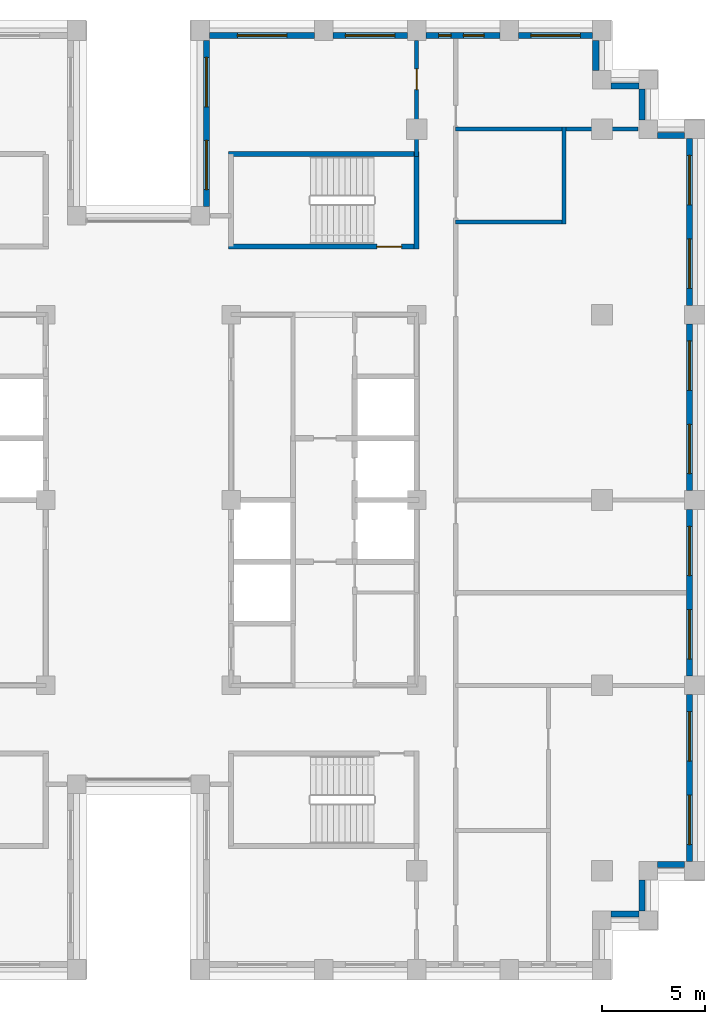
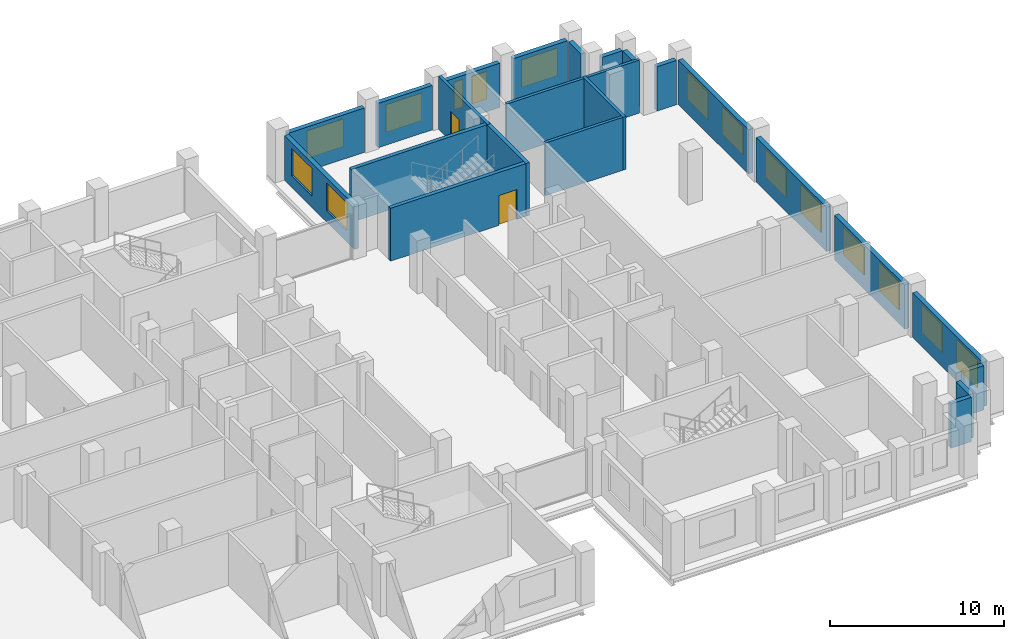
# One storey, part 11 of 15: 23 walls, 15 windows, 2 doors, 17 openings.
"""IFC4 building model written with IfcOpenShell, lengths in metres."""

from ifc_helpers import new_model, si_unit, direction, frame, frame_2d, origin, place, context, subcontext, project, spatial, rectangle, extrude, material, layer, layer_set, type_object, element, fill, save


model = new_model("IFC4")

# Units and contexts
model_context = context("Model", 3, precision=1e-05, world=origin(), true_north=direction((0.0, 1.0)))
body_context = subcontext(model_context, "Body", "Model", "MODEL_VIEW")
ifc_project = project(units=[si_unit("LENGTHUNIT", "METRE"), si_unit("AREAUNIT", "SQUARE_METRE"), si_unit("VOLUMEUNIT", "CUBIC_METRE"), si_unit("PLANEANGLEUNIT", "RADIAN"), si_unit("MASSUNIT", "GRAM", prefix="KILO")], contexts=[model_context])

# Site, building, storey
site_placement = place(None, origin())
site = spatial("IfcSite", under=ifc_project, at=site_placement, CompositionType="ELEMENT")
building_placement = place(site_placement, origin())
building = spatial("IfcBuilding", under=site, at=building_placement, Name="Corbelhall Arena Tower", CompositionType="ELEMENT")
storey_placement = place(building_placement, frame((0.0, 0.0, 208.0)))
storey = spatial("IfcBuildingStorey", under=building, at=storey_placement, Name="L43", CompositionType="ELEMENT", Elevation=208.0)

# Walls
ifc_material_1 = material(Name="Precast concrete C40/50 with granite facing", Category="masonry")
ifc_layer_1 = layer(ifc_material_1, 0.300048828125)
ifc_layer_set_1 = layer_set([ifc_layer_1], Name="EV-IW1 Infill panel 300")
wall_type_1 = type_object("IfcWallType", Name="EV-IW1 Infill panel 300", PredefinedType="SOLIDWALL", material=ifc_layer_set_1)
wall_1_placement = place(storey_placement, frame((22.949951171875, -20.10009765625, 0.0), z_axis=(0.0, 0.0, 1.0), x_axis=(1.0, 0.0, 0.0)))
element("IfcWall", 1, at=wall_1_placement, inside=storey, type_object=wall_type_1, Name="Infill panel IW1", PredefinedType="SOLIDWALL", context=body_context, shape_type="SweptSolid", body=[
    extrude(rectangle(XDim=1.35009765625, YDim=0.300048828125, at=frame_2d((0.675048828125, 0.0))), origin(), (0.0, 0.0, 1.0), 3.1201171875),
])
wall_2_placement = place(storey_placement, frame((24.449951171875, -19.949951171875, 0.0), z_axis=(0.0, 0.0, 1.0), x_axis=(0.0, 1.0, 0.0)))
element("IfcWall", 2, at=wall_2_placement, inside=storey, type_object=wall_type_1, Name="Infill panel IW1", PredefinedType="SOLIDWALL", context=body_context, shape_type="SweptSolid", body=[
    extrude(rectangle(XDim=1.5, YDim=0.300048828125, at=frame_2d((0.75, 0.0))), origin(), (0.0, 0.0, 1.0), 3.1201171875),
])
wall_3_placement = place(storey_placement, frame((25.199951171875, -17.699951171875, 0.0), z_axis=(0.0, 0.0, 1.0), x_axis=(1.0, 0.0, 0.0)))
element("IfcWall", 3, at=wall_3_placement, inside=storey, type_object=wall_type_1, Name="Infill panel IW1", PredefinedType="SOLIDWALL", context=body_context, shape_type="SweptSolid", body=[
    extrude(rectangle(XDim=1.300048828125, YDim=0.300048828125, at=frame_2d((0.64990234375, 0.0))), origin(), (0.0, 0.0, 1.0), 3.1201171875),
])

# Wall, openings, windows
wall_4_placement = place(storey_placement, frame((26.75, -17.550048828125, 0.0), z_axis=(0.0, 0.0, 1.0), x_axis=(0.0, 1.0, 0.0)))
wall_4 = element("IfcWall", 4, at=wall_4_placement, inside=storey, type_object=wall_type_1, Name="Infill panel IW1", PredefinedType="SOLIDWALL", context=body_context, shape_type="SweptSolid", body=[
    extrude(rectangle(XDim=8.10009765625, YDim=0.300048828125, at=frame_2d((4.050048828125, 0.0))), origin(), (0.0, 0.0, 1.0), 3.1201171875),
])
opening_1_placement = place(wall_4_placement, frame((0.824951171875, 0.0, 0.800048828125)))
opening_1 = element("IfcOpeningElement", 5, at=opening_1_placement, cuts=wall_4, Name="Opening WN1", PredefinedType="OPENING", context=body_context, shape_type="SweptSolid", body=[
    extrude(rectangle(XDim=2.39990234375, YDim=1.949951171875, at=frame_2d((1.199951171875, 0.97509765625))), frame((0.0, 0.14990234375, 0.0), z_axis=(0.0, -1.0, 0.0), x_axis=(1.0, 0.0, 0.0)), (0.0, 0.0, 1.0), 0.300048828125),
])
opening_2_placement = place(wall_4_placement, frame((4.875, 0.0, 0.800048828125)))
opening_2 = element("IfcOpeningElement", 6, at=opening_2_placement, cuts=wall_4, Name="Opening WN1", PredefinedType="OPENING", context=body_context, shape_type="SweptSolid", body=[
    extrude(rectangle(XDim=2.39990234375, YDim=1.949951171875, at=frame_2d((1.199951171875, 0.97509765625))), frame((0.0, 0.14990234375, 0.0), z_axis=(0.0, -1.0, 0.0), x_axis=(1.0, 0.0, 0.0)), (0.0, 0.0, 1.0), 0.300048828125),
])
ifc_material_2 = material(Name="Aluminium black anodised", Category="aluminium")
window_type_1 = type_object("IfcWindowType", Name="EV-WN1 Office window", PartitioningType="SINGLE_PANEL", PredefinedType="WINDOW", material=ifc_material_2)
window_1_placement = place(opening_1_placement, origin())
window_1 = element("IfcWindow", 7, at=window_1_placement, inside=storey, type_object=window_type_1, Name="Window WN1", OverallHeight=1.949951171875, OverallWidth=2.39990234375, PartitioningType="SINGLE_PANEL", PredefinedType="WINDOW", context=body_context, shape_type="SweptSolid", body=[
    extrude(rectangle(XDim=2.39990234375, YDim=1.949951171875, at=frame_2d((1.199951171875, 0.97509765625))), frame((0.0, 0.030029296875, 0.0), z_axis=(0.0, -1.0, 0.0), x_axis=(1.0, 0.0, 0.0)), (0.0, 0.0, 1.0), 0.06005859375),
])
fill(opening_1, window_1)
window_2_placement = place(opening_2_placement, origin())
window_2 = element("IfcWindow", 8, at=window_2_placement, inside=storey, type_object=window_type_1, Name="Window WN1", OverallHeight=1.949951171875, OverallWidth=2.39990234375, PartitioningType="SINGLE_PANEL", PredefinedType="WINDOW", context=body_context, shape_type="SweptSolid", body=[
    extrude(rectangle(XDim=2.39990234375, YDim=1.949951171875, at=frame_2d((1.199951171875, 0.97509765625))), frame((0.0, 0.030029296875, 0.0), z_axis=(0.0, -1.0, 0.0), x_axis=(1.0, 0.0, 0.0)), (0.0, 0.0, 1.0), 0.06005859375),
])
fill(opening_2, window_2)

wall_5_placement = place(storey_placement, frame((26.75, -8.550048828125, 0.0), z_axis=(0.0, 0.0, 1.0), x_axis=(0.0, 1.0, 0.0)))
wall_5 = element("IfcWall", 9, at=wall_5_placement, inside=storey, type_object=wall_type_1, Name="Infill panel IW1", PredefinedType="SOLIDWALL", context=body_context, shape_type="SweptSolid", body=[
    extrude(rectangle(XDim=8.10009765625, YDim=0.300048828125, at=frame_2d((4.050048828125, 0.0))), origin(), (0.0, 0.0, 1.0), 3.1201171875),
])
opening_3_placement = place(wall_5_placement, frame((0.824951171875, 0.0, 0.800048828125)))
opening_3 = element("IfcOpeningElement", 10, at=opening_3_placement, cuts=wall_5, Name="Opening WN1", PredefinedType="OPENING", context=body_context, shape_type="SweptSolid", body=[
    extrude(rectangle(XDim=2.39990234375, YDim=1.949951171875, at=frame_2d((1.199951171875, 0.97509765625))), frame((0.0, 0.14990234375, 0.0), z_axis=(0.0, -1.0, 0.0), x_axis=(1.0, 0.0, 0.0)), (0.0, 0.0, 1.0), 0.300048828125),
])
opening_4_placement = place(wall_5_placement, frame((4.875, 0.0, 0.800048828125)))
opening_4 = element("IfcOpeningElement", 11, at=opening_4_placement, cuts=wall_5, Name="Opening WN1", PredefinedType="OPENING", context=body_context, shape_type="SweptSolid", body=[
    extrude(rectangle(XDim=2.39990234375, YDim=1.949951171875, at=frame_2d((1.199951171875, 0.97509765625))), frame((0.0, 0.14990234375, 0.0), z_axis=(0.0, -1.0, 0.0), x_axis=(1.0, 0.0, 0.0)), (0.0, 0.0, 1.0), 0.300048828125),
])
window_3_placement = place(opening_3_placement, origin())
window_3 = element("IfcWindow", 12, at=window_3_placement, inside=storey, type_object=window_type_1, Name="Window WN1", OverallHeight=1.949951171875, OverallWidth=2.39990234375, PartitioningType="SINGLE_PANEL", PredefinedType="WINDOW", context=body_context, shape_type="SweptSolid", body=[
    extrude(rectangle(XDim=2.39990234375, YDim=1.949951171875, at=frame_2d((1.199951171875, 0.97509765625))), frame((0.0, 0.030029296875, 0.0), z_axis=(0.0, -1.0, 0.0), x_axis=(1.0, 0.0, 0.0)), (0.0, 0.0, 1.0), 0.06005859375),
])
fill(opening_3, window_3)
window_4_placement = place(opening_4_placement, origin())
window_4 = element("IfcWindow", 13, at=window_4_placement, inside=storey, type_object=window_type_1, Name="Window WN1", OverallHeight=1.949951171875, OverallWidth=2.39990234375, PartitioningType="SINGLE_PANEL", PredefinedType="WINDOW", context=body_context, shape_type="SweptSolid", body=[
    extrude(rectangle(XDim=2.39990234375, YDim=1.949951171875, at=frame_2d((1.199951171875, 0.97509765625))), frame((0.0, 0.030029296875, 0.0), z_axis=(0.0, -1.0, 0.0), x_axis=(1.0, 0.0, 0.0)), (0.0, 0.0, 1.0), 0.06005859375),
])
fill(opening_4, window_4)

wall_6_placement = place(storey_placement, frame((26.75, 0.449951171875, 0.0), z_axis=(0.0, 0.0, 1.0), x_axis=(0.0, 1.0, 0.0)))
wall_6 = element("IfcWall", 14, at=wall_6_placement, inside=storey, type_object=wall_type_1, Name="Infill panel IW1", PredefinedType="SOLIDWALL", context=body_context, shape_type="SweptSolid", body=[
    extrude(rectangle(XDim=8.10009765625, YDim=0.300048828125, at=frame_2d((4.050048828125, 0.0))), origin(), (0.0, 0.0, 1.0), 3.1201171875),
])
opening_5_placement = place(wall_6_placement, frame((0.824951171875, 0.0, 0.800048828125)))
opening_5 = element("IfcOpeningElement", 15, at=opening_5_placement, cuts=wall_6, Name="Opening WN1", PredefinedType="OPENING", context=body_context, shape_type="SweptSolid", body=[
    extrude(rectangle(XDim=2.39990234375, YDim=1.949951171875, at=frame_2d((1.199951171875, 0.97509765625))), frame((0.0, 0.14990234375, 0.0), z_axis=(0.0, -1.0, 0.0), x_axis=(1.0, 0.0, 0.0)), (0.0, 0.0, 1.0), 0.300048828125),
])
opening_6_placement = place(wall_6_placement, frame((4.875, 0.0, 0.800048828125)))
opening_6 = element("IfcOpeningElement", 16, at=opening_6_placement, cuts=wall_6, Name="Opening WN1", PredefinedType="OPENING", context=body_context, shape_type="SweptSolid", body=[
    extrude(rectangle(XDim=2.39990234375, YDim=1.949951171875, at=frame_2d((1.199951171875, 0.97509765625))), frame((0.0, 0.14990234375, 0.0), z_axis=(0.0, -1.0, 0.0), x_axis=(1.0, 0.0, 0.0)), (0.0, 0.0, 1.0), 0.300048828125),
])
window_5_placement = place(opening_5_placement, origin())
window_5 = element("IfcWindow", 17, at=window_5_placement, inside=storey, type_object=window_type_1, Name="Window WN1", OverallHeight=1.949951171875, OverallWidth=2.39990234375, PartitioningType="SINGLE_PANEL", PredefinedType="WINDOW", context=body_context, shape_type="SweptSolid", body=[
    extrude(rectangle(XDim=2.39990234375, YDim=1.949951171875, at=frame_2d((1.199951171875, 0.97509765625))), frame((0.0, 0.030029296875, 0.0), z_axis=(0.0, -1.0, 0.0), x_axis=(1.0, 0.0, 0.0)), (0.0, 0.0, 1.0), 0.06005859375),
])
fill(opening_5, window_5)
window_6_placement = place(opening_6_placement, origin())
window_6 = element("IfcWindow", 18, at=window_6_placement, inside=storey, type_object=window_type_1, Name="Window WN1", OverallHeight=1.949951171875, OverallWidth=2.39990234375, PartitioningType="SINGLE_PANEL", PredefinedType="WINDOW", context=body_context, shape_type="SweptSolid", body=[
    extrude(rectangle(XDim=2.39990234375, YDim=1.949951171875, at=frame_2d((1.199951171875, 0.97509765625))), frame((0.0, 0.030029296875, 0.0), z_axis=(0.0, -1.0, 0.0), x_axis=(1.0, 0.0, 0.0)), (0.0, 0.0, 1.0), 0.06005859375),
])
fill(opening_6, window_6)

wall_7_placement = place(storey_placement, frame((26.75, 9.449951171875, 0.0), z_axis=(0.0, 0.0, 1.0), x_axis=(0.0, 1.0, 0.0)))
wall_7 = element("IfcWall", 19, at=wall_7_placement, inside=storey, type_object=wall_type_1, Name="Infill panel IW1", PredefinedType="SOLIDWALL", context=body_context, shape_type="SweptSolid", body=[
    extrude(rectangle(XDim=8.10009765625, YDim=0.300048828125, at=frame_2d((4.050048828125, 0.0))), origin(), (0.0, 0.0, 1.0), 3.1201171875),
])
opening_7_placement = place(wall_7_placement, frame((0.824951171875, 0.0, 0.800048828125)))
opening_7 = element("IfcOpeningElement", 20, at=opening_7_placement, cuts=wall_7, Name="Opening WN1", PredefinedType="OPENING", context=body_context, shape_type="SweptSolid", body=[
    extrude(rectangle(XDim=2.39990234375, YDim=1.949951171875, at=frame_2d((1.199951171875, 0.97509765625))), frame((0.0, 0.14990234375, 0.0), z_axis=(0.0, -1.0, 0.0), x_axis=(1.0, 0.0, 0.0)), (0.0, 0.0, 1.0), 0.300048828125),
])
opening_8_placement = place(wall_7_placement, frame((4.875, 0.0, 0.800048828125)))
opening_8 = element("IfcOpeningElement", 21, at=opening_8_placement, cuts=wall_7, Name="Opening WN1", PredefinedType="OPENING", context=body_context, shape_type="SweptSolid", body=[
    extrude(rectangle(XDim=2.39990234375, YDim=1.949951171875, at=frame_2d((1.199951171875, 0.97509765625))), frame((0.0, 0.14990234375, 0.0), z_axis=(0.0, -1.0, 0.0), x_axis=(1.0, 0.0, 0.0)), (0.0, 0.0, 1.0), 0.300048828125),
])
window_7_placement = place(opening_7_placement, origin())
window_7 = element("IfcWindow", 22, at=window_7_placement, inside=storey, type_object=window_type_1, Name="Window WN1", OverallHeight=1.949951171875, OverallWidth=2.39990234375, PartitioningType="SINGLE_PANEL", PredefinedType="WINDOW", context=body_context, shape_type="SweptSolid", body=[
    extrude(rectangle(XDim=2.39990234375, YDim=1.949951171875, at=frame_2d((1.199951171875, 0.97509765625))), frame((0.0, 0.030029296875, 0.0), z_axis=(0.0, -1.0, 0.0), x_axis=(1.0, 0.0, 0.0)), (0.0, 0.0, 1.0), 0.06005859375),
])
fill(opening_7, window_7)
window_8_placement = place(opening_8_placement, origin())
window_8 = element("IfcWindow", 23, at=window_8_placement, inside=storey, type_object=window_type_1, Name="Window WN1", OverallHeight=1.949951171875, OverallWidth=2.39990234375, PartitioningType="SINGLE_PANEL", PredefinedType="WINDOW", context=body_context, shape_type="SweptSolid", body=[
    extrude(rectangle(XDim=2.39990234375, YDim=1.949951171875, at=frame_2d((1.199951171875, 0.97509765625))), frame((0.0, 0.030029296875, 0.0), z_axis=(0.0, -1.0, 0.0), x_axis=(1.0, 0.0, 0.0)), (0.0, 0.0, 1.0), 0.06005859375),
])
fill(opening_8, window_8)

# Walls
wall_8_placement = place(storey_placement, frame((26.5, 17.699951171875, 0.0), z_axis=(0.0, 0.0, 1.0), x_axis=(-1.0, 0.0, 0.0)))
element("IfcWall", 24, at=wall_8_placement, inside=storey, type_object=wall_type_1, Name="Infill panel IW1", PredefinedType="SOLIDWALL", context=body_context, shape_type="SweptSolid", body=[
    extrude(rectangle(XDim=1.300048828125, YDim=0.300048828125, at=frame_2d((0.64990234375, 0.0))), origin(), (0.0, 0.0, 1.0), 3.1201171875),
])
wall_9_placement = place(storey_placement, frame((24.449951171875, 18.449951171875, 0.0), z_axis=(0.0, 0.0, 1.0), x_axis=(0.0, 1.0, 0.0)))
element("IfcWall", 25, at=wall_9_placement, inside=storey, type_object=wall_type_1, Name="Infill panel IW1", PredefinedType="SOLIDWALL", context=body_context, shape_type="SweptSolid", body=[
    extrude(rectangle(XDim=1.5, YDim=0.300048828125, at=frame_2d((0.75, 0.0))), origin(), (0.0, 0.0, 1.0), 3.1201171875),
])
wall_10_placement = place(storey_placement, frame((24.300048828125, 20.10009765625, 0.0), z_axis=(0.0, 0.0, 1.0), x_axis=(-1.0, 0.0, 0.0)))
element("IfcWall", 26, at=wall_10_placement, inside=storey, type_object=wall_type_1, Name="Infill panel IW1", PredefinedType="SOLIDWALL", context=body_context, shape_type="SweptSolid", body=[
    extrude(rectangle(XDim=1.35009765625, YDim=0.300048828125, at=frame_2d((0.675048828125, 0.0))), origin(), (0.0, 0.0, 1.0), 3.1201171875),
])
wall_11_placement = place(storey_placement, frame((22.199951171875, 20.85009765625, 0.0), z_axis=(0.0, 0.0, 1.0), x_axis=(0.0, 1.0, 0.0)))
element("IfcWall", 27, at=wall_11_placement, inside=storey, type_object=wall_type_1, Name="Infill panel IW1", PredefinedType="SOLIDWALL", context=body_context, shape_type="SweptSolid", body=[
    extrude(rectangle(XDim=1.449951171875, YDim=0.300048828125, at=frame_2d((0.72509765625, 0.0))), origin(), (0.0, 0.0, 1.0), 3.1201171875),
])

# Wall, opening, window
wall_12_placement = place(storey_placement, frame((22.050048828125, 22.550048828125, 0.0), z_axis=(0.0, 0.0, 1.0), x_axis=(-1.0, 0.0, 0.0)))
wall_12 = element("IfcWall", 28, at=wall_12_placement, inside=storey, type_object=wall_type_1, Name="Infill panel IW1", PredefinedType="SOLIDWALL", context=body_context, shape_type="SweptSolid", body=[
    extrude(rectangle(XDim=3.60009765625, YDim=0.300048828125, at=frame_2d((1.800048828125, 0.0))), origin(), (0.0, 0.0, 1.0), 3.1201171875),
])
opening_9_placement = place(wall_12_placement, frame((0.60009765625, 0.0, 0.800048828125)))
opening_9 = element("IfcOpeningElement", 29, at=opening_9_placement, cuts=wall_12, Name="Opening WN1", PredefinedType="OPENING", context=body_context, shape_type="SweptSolid", body=[
    extrude(rectangle(XDim=2.39990234375, YDim=1.949951171875, at=frame_2d((1.199951171875, 0.97509765625))), frame((0.0, 0.14990234375, 0.0), z_axis=(0.0, -1.0, 0.0), x_axis=(1.0, 0.0, 0.0)), (0.0, 0.0, 1.0), 0.300048828125),
])
window_9_placement = place(opening_9_placement, origin())
window_9 = element("IfcWindow", 30, at=window_9_placement, inside=storey, type_object=window_type_1, Name="Window WN1", OverallHeight=1.949951171875, OverallWidth=2.39990234375, PartitioningType="SINGLE_PANEL", PredefinedType="WINDOW", context=body_context, shape_type="SweptSolid", body=[
    extrude(rectangle(XDim=2.39990234375, YDim=1.949951171875, at=frame_2d((1.199951171875, 0.97509765625))), frame((0.0, 0.030029296875, 0.0), z_axis=(0.0, -1.0, 0.0), x_axis=(1.0, 0.0, 0.0)), (0.0, 0.0, 1.0), 0.06005859375),
])
fill(opening_9, window_9)

# Wall, openings, windows
wall_13_placement = place(storey_placement, frame((17.550048828125, 22.550048828125, 0.0), z_axis=(0.0, 0.0, 1.0), x_axis=(-1.0, 0.0, 0.0)))
wall_13 = element("IfcWall", 31, at=wall_13_placement, inside=storey, type_object=wall_type_1, Name="Infill panel IW1", PredefinedType="SOLIDWALL", context=body_context, shape_type="SweptSolid", body=[
    extrude(rectangle(XDim=3.60009765625, YDim=0.300048828125, at=frame_2d((1.800048828125, 0.0))), origin(), (0.0, 0.0, 1.0), 3.1201171875),
])
opening_10_placement = place(wall_13_placement, frame((0.77490234375, 0.0, 0.800048828125)))
opening_10 = element("IfcOpeningElement", 32, at=opening_10_placement, cuts=wall_13, Name="Opening WN6", PredefinedType="OPENING", context=body_context, shape_type="SweptSolid", body=[
    extrude(rectangle(XDim=1.0, YDim=1.949951171875, at=frame_2d((0.5, 0.97509765625))), frame((0.0, 0.14990234375, 0.0), z_axis=(0.0, -1.0, 0.0), x_axis=(1.0, 0.0, 0.0)), (0.0, 0.0, 1.0), 0.300048828125),
])
opening_11_placement = place(wall_13_placement, frame((2.375, 0.0, 0.800048828125)))
opening_11 = element("IfcOpeningElement", 33, at=opening_11_placement, cuts=wall_13, Name="Opening WN5", PredefinedType="OPENING", context=body_context, shape_type="SweptSolid", body=[
    extrude(rectangle(XDim=0.60009765625, YDim=1.949951171875, at=frame_2d((0.300048828125, 0.97509765625))), frame((0.0, 0.14990234375, 0.0), z_axis=(0.0, -1.0, 0.0), x_axis=(1.0, 0.0, 0.0)), (0.0, 0.0, 1.0), 0.300048828125),
])
window_type_2 = type_object("IfcWindowType", Name="EV-WN5 Office window 600", PartitioningType="SINGLE_PANEL", PredefinedType="WINDOW", material=ifc_material_2)
window_10_placement = place(opening_11_placement, origin())
window_10 = element("IfcWindow", 34, at=window_10_placement, inside=storey, type_object=window_type_2, Name="Window WN5", OverallHeight=1.949951171875, OverallWidth=0.60009765625, PartitioningType="SINGLE_PANEL", PredefinedType="WINDOW", context=body_context, shape_type="SweptSolid", body=[
    extrude(rectangle(XDim=0.60009765625, YDim=1.949951171875, at=frame_2d((0.300048828125, 0.97509765625))), frame((0.0, 0.030029296875, 0.0), z_axis=(0.0, -1.0, 0.0), x_axis=(1.0, 0.0, 0.0)), (0.0, 0.0, 1.0), 0.06005859375),
])
fill(opening_11, window_10)
window_type_3 = type_object("IfcWindowType", Name="EV-WN6 Office window 1000", PartitioningType="SINGLE_PANEL", PredefinedType="WINDOW", material=ifc_material_2)
window_11_placement = place(opening_10_placement, origin())
window_11 = element("IfcWindow", 35, at=window_11_placement, inside=storey, type_object=window_type_3, Name="Window WN6", OverallHeight=1.949951171875, OverallWidth=1.0, PartitioningType="SINGLE_PANEL", PredefinedType="WINDOW", context=body_context, shape_type="SweptSolid", body=[
    extrude(rectangle(XDim=1.0, YDim=1.949951171875, at=frame_2d((0.5, 0.97509765625))), frame((0.0, 0.030029296875, 0.0), z_axis=(0.0, -1.0, 0.0), x_axis=(1.0, 0.0, 0.0)), (0.0, 0.0, 1.0), 0.06005859375),
])
fill(opening_10, window_11)

# Wall, opening, window
wall_14_placement = place(storey_placement, frame((13.050048828125, 22.550048828125, 0.0), z_axis=(0.0, 0.0, 1.0), x_axis=(-1.0, 0.0, 0.0)))
wall_14 = element("IfcWall", 36, at=wall_14_placement, inside=storey, type_object=wall_type_1, Name="Infill panel IW1", PredefinedType="SOLIDWALL", context=body_context, shape_type="SweptSolid", body=[
    extrude(rectangle(XDim=3.60009765625, YDim=0.300048828125, at=frame_2d((1.800048828125, 0.0))), origin(), (0.0, 0.0, 1.0), 3.1201171875),
])
opening_12_placement = place(wall_14_placement, frame((0.60009765625, 0.0, 0.800048828125)))
opening_12 = element("IfcOpeningElement", 37, at=opening_12_placement, cuts=wall_14, Name="Opening WN1", PredefinedType="OPENING", context=body_context, shape_type="SweptSolid", body=[
    extrude(rectangle(XDim=2.39990234375, YDim=1.949951171875, at=frame_2d((1.199951171875, 0.97509765625))), frame((0.0, 0.14990234375, 0.0), z_axis=(0.0, -1.0, 0.0), x_axis=(1.0, 0.0, 0.0)), (0.0, 0.0, 1.0), 0.300048828125),
])
window_12_placement = place(opening_12_placement, origin())
window_12 = element("IfcWindow", 38, at=window_12_placement, inside=storey, type_object=window_type_1, Name="Window WN1", OverallHeight=1.949951171875, OverallWidth=2.39990234375, PartitioningType="SINGLE_PANEL", PredefinedType="WINDOW", context=body_context, shape_type="SweptSolid", body=[
    extrude(rectangle(XDim=2.39990234375, YDim=1.949951171875, at=frame_2d((1.199951171875, 0.97509765625))), frame((0.0, 0.030029296875, 0.0), z_axis=(0.0, -1.0, 0.0), x_axis=(1.0, 0.0, 0.0)), (0.0, 0.0, 1.0), 0.06005859375),
])
fill(opening_12, window_12)

wall_15_placement = place(storey_placement, frame((8.550048828125, 22.550048828125, 0.0), z_axis=(0.0, 0.0, 1.0), x_axis=(-1.0, 0.0, 0.0)))
wall_15 = element("IfcWall", 39, at=wall_15_placement, inside=storey, type_object=wall_type_1, Name="Infill panel IW1", PredefinedType="SOLIDWALL", context=body_context, shape_type="SweptSolid", body=[
    extrude(rectangle(XDim=5.10009765625, YDim=0.300048828125, at=frame_2d((2.550048828125, 0.0))), origin(), (0.0, 0.0, 1.0), 3.1201171875),
])
opening_13_placement = place(wall_15_placement, frame((1.35009765625, 0.0, 0.800048828125)))
opening_13 = element("IfcOpeningElement", 40, at=opening_13_placement, cuts=wall_15, Name="Opening WN1", PredefinedType="OPENING", context=body_context, shape_type="SweptSolid", body=[
    extrude(rectangle(XDim=2.39990234375, YDim=1.949951171875, at=frame_2d((1.199951171875, 0.97509765625))), frame((0.0, 0.14990234375, 0.0), z_axis=(0.0, -1.0, 0.0), x_axis=(1.0, 0.0, 0.0)), (0.0, 0.0, 1.0), 0.300048828125),
])
window_13_placement = place(opening_13_placement, origin())
window_13 = element("IfcWindow", 41, at=window_13_placement, inside=storey, type_object=window_type_1, Name="Window WN1", OverallHeight=1.949951171875, OverallWidth=2.39990234375, PartitioningType="SINGLE_PANEL", PredefinedType="WINDOW", context=body_context, shape_type="SweptSolid", body=[
    extrude(rectangle(XDim=2.39990234375, YDim=1.949951171875, at=frame_2d((1.199951171875, 0.97509765625))), frame((0.0, 0.030029296875, 0.0), z_axis=(0.0, -1.0, 0.0), x_axis=(1.0, 0.0, 0.0)), (0.0, 0.0, 1.0), 0.06005859375),
])
fill(opening_13, window_13)

# Wall, openings, windows
wall_16_placement = place(storey_placement, frame((3.300048828125, 22.300048828125, 0.0), z_axis=(0.0, 0.0, 1.0), x_axis=(0.0, -1.0, 0.0)))
wall_16 = element("IfcWall", 42, at=wall_16_placement, inside=storey, type_object=wall_type_1, Name="Infill panel IW1", PredefinedType="SOLIDWALL", context=body_context, shape_type="SweptSolid", body=[
    extrude(rectangle(XDim=8.050048828125, YDim=0.300048828125, at=frame_2d((4.02490234375, 0.0))), origin(), (0.0, 0.0, 1.0), 3.1201171875),
])
opening_14_placement = place(wall_16_placement, frame((0.8125, 0.0, 0.800048828125)))
opening_14 = element("IfcOpeningElement", 43, at=opening_14_placement, cuts=wall_16, Name="Opening WN1", PredefinedType="OPENING", context=body_context, shape_type="SweptSolid", body=[
    extrude(rectangle(XDim=2.39990234375, YDim=1.949951171875, at=frame_2d((1.199951171875, 0.97509765625))), frame((0.0, 0.14990234375, 0.0), z_axis=(0.0, -1.0, 0.0), x_axis=(1.0, 0.0, 0.0)), (0.0, 0.0, 1.0), 0.300048828125),
])
opening_15_placement = place(wall_16_placement, frame((4.83740234375, 0.0, 0.800048828125)))
opening_15 = element("IfcOpeningElement", 44, at=opening_15_placement, cuts=wall_16, Name="Opening WN1", PredefinedType="OPENING", context=body_context, shape_type="SweptSolid", body=[
    extrude(rectangle(XDim=2.39990234375, YDim=1.949951171875, at=frame_2d((1.199951171875, 0.97509765625))), frame((0.0, 0.14990234375, 0.0), z_axis=(0.0, -1.0, 0.0), x_axis=(1.0, 0.0, 0.0)), (0.0, 0.0, 1.0), 0.300048828125),
])
window_14_placement = place(opening_14_placement, origin())
window_14 = element("IfcWindow", 45, at=window_14_placement, inside=storey, type_object=window_type_1, Name="Window WN1", OverallHeight=1.949951171875, OverallWidth=2.39990234375, PartitioningType="SINGLE_PANEL", PredefinedType="WINDOW", context=body_context, shape_type="SweptSolid", body=[
    extrude(rectangle(XDim=2.39990234375, YDim=1.949951171875, at=frame_2d((1.199951171875, 0.97509765625))), frame((0.0, 0.030029296875, 0.0), z_axis=(0.0, -1.0, 0.0), x_axis=(1.0, 0.0, 0.0)), (0.0, 0.0, 1.0), 0.06005859375),
])
fill(opening_14, window_14)
window_15_placement = place(opening_15_placement, origin())
window_15 = element("IfcWindow", 46, at=window_15_placement, inside=storey, type_object=window_type_1, Name="Window WN1", OverallHeight=1.949951171875, OverallWidth=2.39990234375, PartitioningType="SINGLE_PANEL", PredefinedType="WINDOW", context=body_context, shape_type="SweptSolid", body=[
    extrude(rectangle(XDim=2.39990234375, YDim=1.949951171875, at=frame_2d((1.199951171875, 0.97509765625))), frame((0.0, 0.030029296875, 0.0), z_axis=(0.0, -1.0, 0.0), x_axis=(1.0, 0.0, 0.0)), (0.0, 0.0, 1.0), 0.06005859375),
])
fill(opening_15, window_15)

# Wall, opening, door
ifc_material_3 = material(Name="Gypsum board on steel stud, acoustic", Category="steel")
ifc_layer_2 = layer(ifc_material_3, 0.199951171875)
ifc_layer_set_2 = layer_set([ifc_layer_2], Name="IN-W-DM200")
wall_type_2 = type_object("IfcWallType", Name="IN-W-DM200", PredefinedType="PARTITIONING", material=ifc_layer_set_2)
wall_17_placement = place(storey_placement, frame((13.5, 16.675048828125, 0.0), z_axis=(0.0, 0.0, 1.0), x_axis=(0.0, 1.0, 0.0)))
wall_17 = element("IfcWall", 47, at=wall_17_placement, inside=storey, type_object=wall_type_2, Name="Partition 024", PredefinedType="PARTITIONING", context=body_context, shape_type="SweptSolid", body=[
    extrude(rectangle(XDim=5.625, YDim=0.199951171875, at=frame_2d((2.8125, 0.0))), origin(), (0.0, 0.0, 1.0), 3.719970703125),
])
opening_16_placement = place(wall_17_placement, frame((3.25, 0.0, 0.0)))
opening_16 = element("IfcOpeningElement", 48, at=opening_16_placement, cuts=wall_17, Name="Opening 13021", PredefinedType="OPENING", context=body_context, shape_type="SweptSolid", body=[
    extrude(rectangle(XDim=1.0, YDim=2.10009765625, at=frame_2d((0.5, 1.050048828125))), frame((0.0, 0.10009765625, 0.0), z_axis=(0.0, -1.0, 0.0), x_axis=(1.0, 0.0, 0.0)), (0.0, 0.0, 1.0), 0.199951171875),
])
ifc_material_4 = material(Name="Steel door set", Category="steel")
door_type_1 = type_object("IfcDoorType", Name="IN-D-SW100", OperationType="NOTDEFINED", PredefinedType="DOOR", material=ifc_material_4)
door_1_placement = place(opening_16_placement, origin())
door_1 = element("IfcDoor", 49, at=door_1_placement, inside=storey, type_object=door_type_1, Name="Door 021", OperationType="SINGLE_SWING_RIGHT", OverallHeight=2.10009765625, OverallWidth=1.0, PredefinedType="DOOR", context=body_context, shape_type="SweptSolid", body=[
    extrude(rectangle(XDim=1.0, YDim=2.10009765625, at=frame_2d((0.5, 1.050048828125))), frame((0.0, 0.02490234375, 0.0), z_axis=(0.0, -1.0, 0.0), x_axis=(1.0, 0.0, 0.0)), (0.0, 0.0, 1.0), 0.050048828125),
])
fill(opening_16, door_1)

# Walls
wall_18_placement = place(storey_placement, frame((15.39990234375, 13.5, 0.0), z_axis=(0.0, 0.0, 1.0), x_axis=(1.0, 0.0, 0.0)))
element("IfcWall", 50, at=wall_18_placement, inside=storey, type_object=wall_type_2, Name="Partition 029", PredefinedType="PARTITIONING", context=body_context, shape_type="SweptSolid", body=[
    extrude(rectangle(XDim=5.25, YDim=0.199951171875, at=frame_2d((2.625, 0.0))), origin(), (0.0, 0.0, 1.0), 3.719970703125),
])
wall_19_placement = place(storey_placement, frame((15.39990234375, 18.0, 0.0), z_axis=(0.0, 0.0, 1.0), x_axis=(1.0, 0.0, 0.0)))
element("IfcWall", 51, at=wall_19_placement, inside=storey, type_object=wall_type_2, Name="Partition 030", PredefinedType="PARTITIONING", context=body_context, shape_type="SweptSolid", body=[
    extrude(rectangle(XDim=8.85009765625, YDim=0.199951171875, at=frame_2d((4.425048828125, 0.0))), origin(), (0.0, 0.0, 1.0), 3.719970703125),
])
wall_20_placement = place(storey_placement, frame((20.64990234375, 13.39990234375, 0.0), z_axis=(0.0, 0.0, 1.0), x_axis=(0.0, 1.0, 0.0)))
element("IfcWall", 52, at=wall_20_placement, inside=storey, type_object=wall_type_2, Name="Partition 032", PredefinedType="PARTITIONING", context=body_context, shape_type="SweptSolid", body=[
    extrude(rectangle(XDim=4.7001953125, YDim=0.199951171875, at=frame_2d((2.35009765625, 0.0))), origin(), (0.0, 0.0, 1.0), 3.719970703125),
])

# Wall, opening, door
ifc_material_5 = material(Name="Concrete C40/50", Category="concrete")
ifc_layer_3 = layer(ifc_material_5, 0.25)
ifc_layer_set_3 = layer_set([ifc_layer_3], Name="IN-W-ST250")
wall_type_3 = type_object("IfcWallType", Name="IN-W-ST250", PredefinedType="SOLIDWALL", material=ifc_layer_set_3)
wall_21_placement = place(storey_placement, frame((4.375, 12.300048828125, 0.0), z_axis=(0.0, 0.0, 1.0), x_axis=(1.0, 0.0, 0.0)))
wall_21 = element("IfcWall", 53, at=wall_21_placement, inside=storey, type_object=wall_type_3, Name="Shaft wall 090", PredefinedType="SOLIDWALL", context=body_context, shape_type="SweptSolid", body=[
    extrude(rectangle(XDim=9.125, YDim=0.25, at=frame_2d((4.5625, 0.0))), origin(), (0.0, 0.0, 1.0), 3.719970703125),
])
opening_17_placement = place(wall_21_placement, frame((7.199951171875, 0.0, 0.0)))
opening_17 = element("IfcOpeningElement", 54, at=opening_17_placement, cuts=wall_21, Name="Opening 13017", PredefinedType="OPENING", context=body_context, shape_type="SweptSolid", body=[
    extrude(rectangle(XDim=1.199951171875, YDim=2.10009765625, at=frame_2d((0.60009765625, 1.050048828125))), frame((0.0, 0.125, 0.0), z_axis=(0.0, -1.0, 0.0), x_axis=(1.0, 0.0, 0.0)), (0.0, 0.0, 1.0), 0.25),
])
door_type_2 = type_object("IfcDoorType", Name="IN-D-ST120", OperationType="NOTDEFINED", PredefinedType="DOOR", material=ifc_material_4)
door_2_placement = place(opening_17_placement, origin())
door_2 = element("IfcDoor", 55, at=door_2_placement, inside=storey, type_object=door_type_2, Name="Door 017", OperationType="SINGLE_SWING_RIGHT", OverallHeight=2.10009765625, OverallWidth=1.199951171875, PredefinedType="DOOR", context=body_context, shape_type="SweptSolid", body=[
    extrude(rectangle(XDim=1.199951171875, YDim=2.10009765625, at=frame_2d((0.60009765625, 1.050048828125))), frame((0.0, 0.02490234375, 0.0), z_axis=(0.0, -1.0, 0.0), x_axis=(1.0, 0.0, 0.0)), (0.0, 0.0, 1.0), 0.050048828125),
])
fill(opening_17, door_2)

# Walls
wall_22_placement = place(storey_placement, frame((4.375, 16.800048828125, 0.0), z_axis=(0.0, 0.0, 1.0), x_axis=(1.0, 0.0, 0.0)))
element("IfcWall", 56, at=wall_22_placement, inside=storey, type_object=wall_type_3, Name="Shaft wall 091", PredefinedType="SOLIDWALL", context=body_context, shape_type="SweptSolid", body=[
    extrude(rectangle(XDim=9.125, YDim=0.25, at=frame_2d((4.5625, 0.0))), origin(), (0.0, 0.0, 1.0), 3.719970703125),
])
wall_23_placement = place(storey_placement, frame((13.5, 12.175048828125, 0.0), z_axis=(0.0, 0.0, 1.0), x_axis=(0.0, 1.0, 0.0)))
element("IfcWall", 57, at=wall_23_placement, inside=storey, type_object=wall_type_3, Name="Shaft wall 097", PredefinedType="SOLIDWALL", context=body_context, shape_type="SweptSolid", body=[
    extrude(rectangle(XDim=4.75, YDim=0.25, at=frame_2d((2.375, 0.0))), origin(), (0.0, 0.0, 1.0), 3.719970703125),
])

save(model, "model.ifc")
